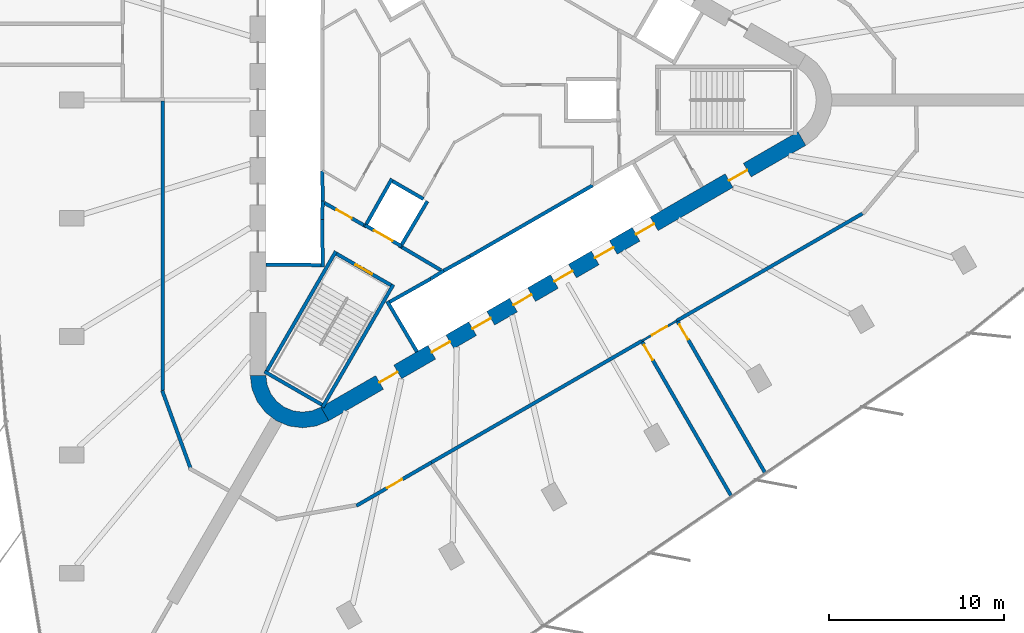
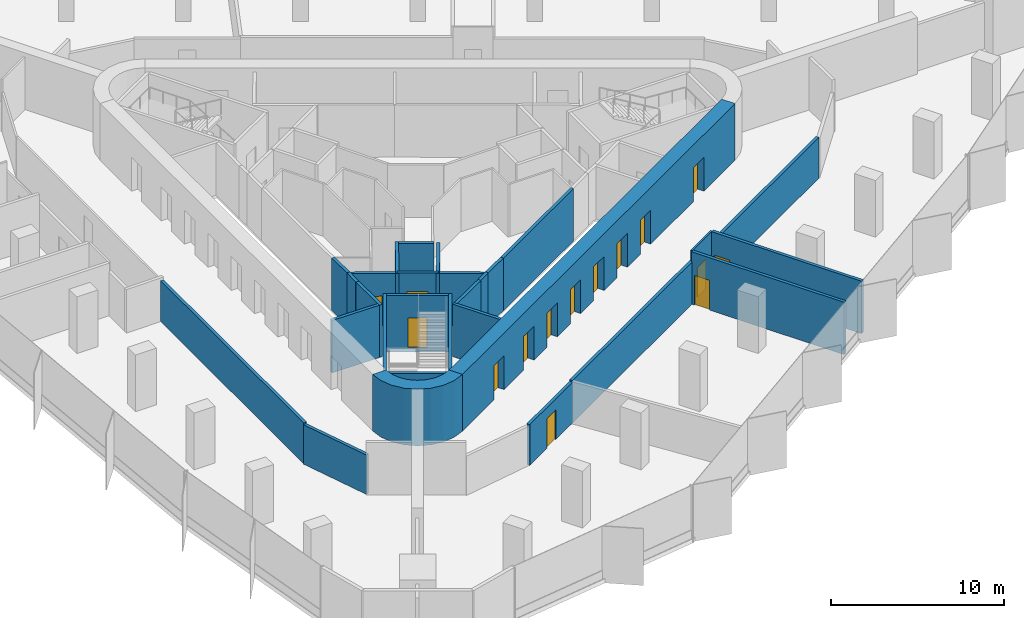
# One storey, part 8 of 13: 29 walls, 15 doors, 15 openings.
"""IFC4 building model written with IfcOpenShell, lengths in metres."""

from ifc_helpers import new_model, si_unit, direction, frame, frame_2d, origin, place, context, subcontext, project, spatial, polyline, rectangle, outline, extrude, material, layer, layer_set, type_object, element, fill, save


model = new_model("IFC4")

# Units and contexts
model_context = context("Model", 3, precision=1e-05, world=origin(), true_north=direction((0.0, 1.0)))
body_context = subcontext(model_context, "Body", "Model", "MODEL_VIEW")
ifc_project = project(units=[si_unit("LENGTHUNIT", "METRE"), si_unit("AREAUNIT", "SQUARE_METRE"), si_unit("VOLUMEUNIT", "CUBIC_METRE"), si_unit("PLANEANGLEUNIT", "RADIAN"), si_unit("MASSUNIT", "GRAM", prefix="KILO")], contexts=[model_context])

# Site, building, storey
site_placement = place(None, origin())
site = spatial("IfcSite", under=ifc_project, at=site_placement, CompositionType="ELEMENT")
building_placement = place(site_placement, origin())
building = spatial("IfcBuilding", under=site, at=building_placement, Name="Tanit Gate Tower", CompositionType="ELEMENT")
storey_placement = place(building_placement, frame((0.0, 0.0, 193.199951171875)))
storey = spatial("IfcBuildingStorey", under=building, at=storey_placement, Name="L42", CompositionType="ELEMENT", Elevation=193.199951171875)

# Wall, openings, doors
ifc_material_1 = material(Name="Concrete C50/60", Category="concrete")
ifc_layer_1 = layer(ifc_material_1, 0.89990234375)
ifc_layer_set_1 = layer_set([ifc_layer_1], Name="CORE WALL 900 C50/60")
wall_type_1 = type_object("IfcWallType", Name="CORE WALL 900 C50/60", PredefinedType="SHEAR", material=ifc_layer_set_1)
wall_1_placement = place(storey_placement, frame((-7.824951171875, -17.969970703125, 0.0), z_axis=(0.0, 0.0, 1.0), x_axis=(0.866028369851, 0.499994862586, 0.0)))
wall_1 = element("IfcWall", 1, at=wall_1_placement, inside=storey, type_object=wall_type_1, Name="CORE WALL", PredefinedType="SHEAR", context=body_context, shape_type="SweptSolid", body=[
    extrude(rectangle(XDim=31.523193359375, YDim=0.89990234375, at=frame_2d((15.76171875, 0.0))), origin(), (0.0, 0.0, 1.0), 4.0),
])
opening_1_placement = place(wall_1_placement, frame((7.061767578125, 0.0, 0.0)))
opening_1 = element("IfcOpeningElement", 2, at=opening_1_placement, cuts=wall_1, Name="Opening LDSX1-S11", PredefinedType="OPENING", context=body_context, shape_type="SweptSolid", body=[
    extrude(rectangle(XDim=1.199951171875, YDim=2.39990234375, at=frame_2d((0.60009765625, 1.199951171875))), frame((0.0, 0.4599609375, 0.0), z_axis=(0.0, -1.0, 0.0), x_axis=(1.0, 0.0, 0.0)), (0.0, 0.0, 1.0), 0.919921875),
])
opening_2_placement = place(wall_1_placement, frame((9.76171875, 0.0, 0.0)))
opening_2 = element("IfcOpeningElement", 3, at=opening_2_placement, cuts=wall_1, Name="Opening LDSX2-S11", PredefinedType="OPENING", context=body_context, shape_type="SweptSolid", body=[
    extrude(rectangle(XDim=1.199951171875, YDim=2.39990234375, at=frame_2d((0.60009765625, 1.199951171875))), frame((0.0, 0.4599609375, 0.0), z_axis=(0.0, -1.0, 0.0), x_axis=(1.0, 0.0, 0.0)), (0.0, 0.0, 1.0), 0.919921875),
])
opening_3_placement = place(wall_1_placement, frame((12.461669921875, 0.0, 0.0)))
opening_3 = element("IfcOpeningElement", 4, at=opening_3_placement, cuts=wall_1, Name="Opening LDSX3-S11", PredefinedType="OPENING", context=body_context, shape_type="SweptSolid", body=[
    extrude(rectangle(XDim=1.199951171875, YDim=2.39990234375, at=frame_2d((0.60009765625, 1.199951171875))), frame((0.0, 0.4599609375, 0.0), z_axis=(0.0, -1.0, 0.0), x_axis=(1.0, 0.0, 0.0)), (0.0, 0.0, 1.0), 0.919921875),
])
opening_4_placement = place(wall_1_placement, frame((15.16162109375, 0.0, 0.0)))
opening_4 = element("IfcOpeningElement", 5, at=opening_4_placement, cuts=wall_1, Name="Opening LDSX4-S11", PredefinedType="OPENING", context=body_context, shape_type="SweptSolid", body=[
    extrude(rectangle(XDim=1.199951171875, YDim=2.39990234375, at=frame_2d((0.60009765625, 1.199951171875))), frame((0.0, 0.4599609375, 0.0), z_axis=(0.0, -1.0, 0.0), x_axis=(1.0, 0.0, 0.0)), (0.0, 0.0, 1.0), 0.919921875),
])
opening_5_placement = place(wall_1_placement, frame((17.861572265625, 0.0, 0.0)))
opening_5 = element("IfcOpeningElement", 6, at=opening_5_placement, cuts=wall_1, Name="Opening LDSV1-S11", PredefinedType="OPENING", context=body_context, shape_type="SweptSolid", body=[
    extrude(rectangle(XDim=1.199951171875, YDim=2.39990234375, at=frame_2d((0.60009765625, 1.199951171875))), frame((0.0, 0.4599609375, 0.0), z_axis=(0.0, -1.0, 0.0), x_axis=(1.0, 0.0, 0.0)), (0.0, 0.0, 1.0), 0.919921875),
])
opening_6_placement = place(wall_1_placement, frame((20.561767578125, 0.0, 0.0)))
opening_6 = element("IfcOpeningElement", 7, at=opening_6_placement, cuts=wall_1, Name="Opening LDSV2-S11", PredefinedType="OPENING", context=body_context, shape_type="SweptSolid", body=[
    extrude(rectangle(XDim=1.199951171875, YDim=2.39990234375, at=frame_2d((0.60009765625, 1.199951171875))), frame((0.0, 0.4599609375, 0.0), z_axis=(0.0, -1.0, 0.0), x_axis=(1.0, 0.0, 0.0)), (0.0, 0.0, 1.0), 0.919921875),
])
opening_7_placement = place(wall_1_placement, frame((26.711669921875, 0.0, 0.0)))
opening_7 = element("IfcOpeningElement", 8, at=opening_7_placement, cuts=wall_1, Name="Opening F12-S11-S1", PredefinedType="OPENING", context=body_context, shape_type="SweptSolid", body=[
    extrude(rectangle(XDim=1.199951171875, YDim=2.39990234375, at=frame_2d((0.60009765625, 1.199951171875))), frame((0.0, 0.4599609375, 0.0), z_axis=(0.0, -1.0, 0.0), x_axis=(1.0, 0.0, 0.0)), (0.0, 0.0, 1.0), 0.919921875),
])
opening_8_placement = place(wall_1_placement, frame((3.611572265625, 0.0, 0.0)))
opening_8 = element("IfcOpeningElement", 9, at=opening_8_placement, cuts=wall_1, Name="Opening F12-S11-FL3", PredefinedType="OPENING", context=body_context, shape_type="SweptSolid", body=[
    extrude(rectangle(XDim=1.199951171875, YDim=2.39990234375, at=frame_2d((0.60009765625, 1.199951171875))), frame((0.0, 0.4599609375, 0.0), z_axis=(0.0, -1.0, 0.0), x_axis=(1.0, 0.0, 0.0)), (0.0, 0.0, 1.0), 0.919921875),
])
ifc_material_2 = material(Name="Fire-rated steel door leaf", Category="steel")
door_type_1 = type_object("IfcDoorType", Name="INT-DOOR-FIRE-LOBBY-1200", OperationType="NOTDEFINED", PredefinedType="USERDEFINED", material=ifc_material_2)
door_1_placement = place(opening_7_placement, origin())
door_1 = element("IfcDoor", 10, at=door_1_placement, inside=storey, type_object=door_type_1, Name="Door F12-S11-S1", ObjectType="FIRE DOOR", OperationType="SINGLE_SWING_RIGHT", OverallHeight=2.39990234375, OverallWidth=1.199951171875, PredefinedType="USERDEFINED", context=body_context, shape_type="SweptSolid", body=[
    extrude(rectangle(XDim=1.199951171875, YDim=2.39990234375, at=frame_2d((0.60009765625, 1.199951171875))), frame((0.0, 0.02490234375, 0.0), z_axis=(0.0, -1.0, 0.0), x_axis=(1.0, 0.0, 0.0)), (0.0, 0.0, 1.0), 0.050048828125),
])
fill(opening_7, door_1)
door_2_placement = place(opening_8_placement, origin())
door_2 = element("IfcDoor", 11, at=door_2_placement, inside=storey, type_object=door_type_1, Name="Door F12-S11-FL3", ObjectType="FIRE DOOR", OperationType="SINGLE_SWING_LEFT", OverallHeight=2.39990234375, OverallWidth=1.199951171875, PredefinedType="USERDEFINED", context=body_context, shape_type="SweptSolid", body=[
    extrude(rectangle(XDim=1.199951171875, YDim=2.39990234375, at=frame_2d((0.60009765625, 1.199951171875))), frame((0.0, 0.02490234375, 0.0), z_axis=(0.0, -1.0, 0.0), x_axis=(1.0, 0.0, 0.0)), (0.0, 0.0, 1.0), 0.050048828125),
])
fill(opening_8, door_2)
ifc_material_3 = material(Name="Stainless steel sliding door leaf", Category="steel")
door_type_2 = type_object("IfcDoorType", Name="INT-DOOR-LANDING-1200", OperationType="NOTDEFINED", PredefinedType="USERDEFINED", material=ifc_material_3)
door_3_placement = place(opening_1_placement, origin())
door_3 = element("IfcDoor", 12, at=door_3_placement, inside=storey, type_object=door_type_2, Name="Door LDSX1-S11", ObjectType="LANDING DOOR", OperationType="SLIDING_TO_LEFT", OverallHeight=2.39990234375, OverallWidth=1.199951171875, PredefinedType="USERDEFINED", context=body_context, shape_type="SweptSolid", body=[
    extrude(rectangle(XDim=1.199951171875, YDim=2.39990234375, at=frame_2d((0.60009765625, 1.199951171875))), frame((0.0, 0.02490234375, 0.0), z_axis=(0.0, -1.0, 0.0), x_axis=(1.0, 0.0, 0.0)), (0.0, 0.0, 1.0), 0.050048828125),
])
fill(opening_1, door_3)
door_4_placement = place(opening_2_placement, origin())
door_4 = element("IfcDoor", 13, at=door_4_placement, inside=storey, type_object=door_type_2, Name="Door LDSX2-S11", ObjectType="LANDING DOOR", OperationType="SLIDING_TO_LEFT", OverallHeight=2.39990234375, OverallWidth=1.199951171875, PredefinedType="USERDEFINED", context=body_context, shape_type="SweptSolid", body=[
    extrude(rectangle(XDim=1.199951171875, YDim=2.39990234375, at=frame_2d((0.60009765625, 1.199951171875))), frame((0.0, 0.02490234375, 0.0), z_axis=(0.0, -1.0, 0.0), x_axis=(1.0, 0.0, 0.0)), (0.0, 0.0, 1.0), 0.050048828125),
])
fill(opening_2, door_4)
door_5_placement = place(opening_3_placement, origin())
door_5 = element("IfcDoor", 14, at=door_5_placement, inside=storey, type_object=door_type_2, Name="Door LDSX3-S11", ObjectType="LANDING DOOR", OperationType="SLIDING_TO_LEFT", OverallHeight=2.39990234375, OverallWidth=1.199951171875, PredefinedType="USERDEFINED", context=body_context, shape_type="SweptSolid", body=[
    extrude(rectangle(XDim=1.199951171875, YDim=2.39990234375, at=frame_2d((0.60009765625, 1.199951171875))), frame((0.0, 0.02490234375, 0.0), z_axis=(0.0, -1.0, 0.0), x_axis=(1.0, 0.0, 0.0)), (0.0, 0.0, 1.0), 0.050048828125),
])
fill(opening_3, door_5)
door_6_placement = place(opening_4_placement, origin())
door_6 = element("IfcDoor", 15, at=door_6_placement, inside=storey, type_object=door_type_2, Name="Door LDSX4-S11", ObjectType="LANDING DOOR", OperationType="SLIDING_TO_LEFT", OverallHeight=2.39990234375, OverallWidth=1.199951171875, PredefinedType="USERDEFINED", context=body_context, shape_type="SweptSolid", body=[
    extrude(rectangle(XDim=1.199951171875, YDim=2.39990234375, at=frame_2d((0.60009765625, 1.199951171875))), frame((0.0, 0.02490234375, 0.0), z_axis=(0.0, -1.0, 0.0), x_axis=(1.0, 0.0, 0.0)), (0.0, 0.0, 1.0), 0.050048828125),
])
fill(opening_4, door_6)
door_7_placement = place(opening_5_placement, origin())
door_7 = element("IfcDoor", 16, at=door_7_placement, inside=storey, type_object=door_type_2, Name="Door LDSV1-S11", ObjectType="LANDING DOOR", OperationType="SLIDING_TO_LEFT", OverallHeight=2.39990234375, OverallWidth=1.199951171875, PredefinedType="USERDEFINED", context=body_context, shape_type="SweptSolid", body=[
    extrude(rectangle(XDim=1.199951171875, YDim=2.39990234375, at=frame_2d((0.60009765625, 1.199951171875))), frame((0.0, 0.02490234375, 0.0), z_axis=(0.0, -1.0, 0.0), x_axis=(1.0, 0.0, 0.0)), (0.0, 0.0, 1.0), 0.050048828125),
])
fill(opening_5, door_7)
door_8_placement = place(opening_6_placement, origin())
door_8 = element("IfcDoor", 17, at=door_8_placement, inside=storey, type_object=door_type_2, Name="Door LDSV2-S11", ObjectType="LANDING DOOR", OperationType="SLIDING_TO_LEFT", OverallHeight=2.39990234375, OverallWidth=1.199951171875, PredefinedType="USERDEFINED", context=body_context, shape_type="SweptSolid", body=[
    extrude(rectangle(XDim=1.199951171875, YDim=2.39990234375, at=frame_2d((0.60009765625, 1.199951171875))), frame((0.0, 0.02490234375, 0.0), z_axis=(0.0, -1.0, 0.0), x_axis=(1.0, 0.0, 0.0)), (0.0, 0.0, 1.0), 0.050048828125),
])
fill(opening_6, door_8)

# Walls
wall_2_placement = place(storey_placement, origin())
element("IfcWall", 18, at=wall_2_placement, inside=storey, type_object=wall_type_1, Name="CORE WALL CORNER", PredefinedType="SHEAR", context=body_context, shape_type="SweptSolid", body=[
    extrude(outline(polyline([(-12.10009765625, -15.76171875), (-11.997802734375, -16.5380859375), (-11.697998046875, -17.26171875), (-11.22119140625, -17.883056640625), (-10.60009765625, -18.359619140625), (-9.87646484375, -18.659423828125), (-9.10009765625, -18.76171875), (-8.323486328125, -18.659423828125), (-7.60009765625, -18.359619140625), (-8.050048828125, -17.580322265625), (-8.556396484375, -17.7900390625), (-9.10009765625, -17.86181640625), (-9.6435546875, -17.7900390625), (-10.14990234375, -17.580322265625), (-10.5849609375, -17.24658203125), (-10.918701171875, -16.811767578125), (-11.12841796875, -16.30517578125), (-11.199951171875, -15.76171875), (-12.10009765625, -15.76171875)])), origin(), (0.0, 0.0, 1.0), 4.0),
])
ifc_material_4 = material(Name="Fire-rated gypsum board partition")
ifc_layer_2 = layer(ifc_material_4, 0.199951171875)
ifc_layer_set_2 = layer_set([ifc_layer_2], Name="INT-WALL-COMPARTMENT")
wall_type_2 = type_object("IfcWallType", Name="INT-WALL-COMPARTMENT", PredefinedType="PARTITIONING", material=ifc_layer_set_2)
wall_3_placement = place(storey_placement, frame((-3.400634765625, -8.43017578125, 0.0), z_axis=(0.0, 0.0, 1.0), x_axis=(0.860615607571, -0.509255118781, 0.0)))
element("IfcWall", 19, at=wall_3_placement, inside=storey, type_object=wall_type_2, Name="Wall Compartment W061", PredefinedType="PARTITIONING", context=body_context, shape_type="SweptSolid", body=[
    extrude(rectangle(XDim=2.58056640625, YDim=0.199951171875, at=frame_2d((1.290283203125, 0.0))), origin(), (0.0, 0.0, 1.0), 3.699951171875),
])

# Wall, opening, door
wall_4_placement = place(storey_placement, frame((-7.849365234375, -5.893798828125, 0.0), z_axis=(0.0, 0.0, 1.0), x_axis=(0.871363259478, -0.490638431059, 0.0)))
wall_4 = element("IfcWall", 20, at=wall_4_placement, inside=storey, type_object=wall_type_2, Name="Wall Compartment W062", PredefinedType="PARTITIONING", context=body_context, shape_type="SweptSolid", body=[
    extrude(rectangle(XDim=2.5810546875, YDim=0.199951171875, at=frame_2d((1.29052734375, 0.0))), origin(), (0.0, 0.0, 1.0), 3.699951171875),
])
opening_9_placement = place(wall_4_placement, frame((0.79052734375, 0.0, 0.0)))
opening_9 = element("IfcOpeningElement", 21, at=opening_9_placement, cuts=wall_4, Name="Opening F10-S11-08", PredefinedType="OPENING", context=body_context, shape_type="SweptSolid", body=[
    extrude(rectangle(XDim=1.0, YDim=2.10009765625, at=frame_2d((0.5, 1.050048828125))), frame((0.0, 0.10986328125, 0.0), z_axis=(0.0, -1.0, 0.0), x_axis=(1.0, 0.0, 0.0)), (0.0, 0.0, 1.0), 0.219970703125),
])
ifc_material_5 = material(Name="Fire-rated steel door leaf", Category="steel")
door_type_3 = type_object("IfcDoorType", Name="INT-DOOR-FIRE-1000", OperationType="NOTDEFINED", PredefinedType="USERDEFINED", material=ifc_material_5)
door_9_placement = place(opening_9_placement, origin())
door_9 = element("IfcDoor", 22, at=door_9_placement, inside=storey, type_object=door_type_3, Name="Door F10-S11-08", ObjectType="FIRE DOOR", OperationType="SINGLE_SWING_LEFT", OverallHeight=2.10009765625, OverallWidth=1.0, PredefinedType="USERDEFINED", context=body_context, shape_type="SweptSolid", body=[
    extrude(rectangle(XDim=1.0, YDim=2.10009765625, at=frame_2d((0.5, 1.050048828125))), frame((0.0, 0.02490234375, 0.0), z_axis=(0.0, -1.0, 0.0), x_axis=(1.0, 0.0, 0.0)), (0.0, 0.0, 1.0), 0.050048828125),
])
fill(opening_9, door_9)

# Walls
wall_5_placement = place(storey_placement, frame((-17.13427734375, -16.628662109375, 0.0), z_axis=(0.0, 0.0, 1.0), x_axis=(0.342036655594, -0.939686610647, 0.0)))
element("IfcWall", 23, at=wall_5_placement, inside=storey, type_object=wall_type_2, Name="Wall Compartment W097", PredefinedType="PARTITIONING", context=body_context, shape_type="SweptSolid", body=[
    extrude(rectangle(XDim=4.740234375, YDim=0.199951171875, at=frame_2d((2.3701171875, 0.0))), origin(), (0.0, 0.0, 1.0), 2.780029296875),
])
wall_6_placement = place(storey_placement, frame((-17.10009765625, -0.070068359375, 0.0), z_axis=(0.0, 0.0, 1.0), x_axis=(0.0, -1.0, 0.0)))
element("IfcWall", 24, at=wall_6_placement, inside=storey, type_object=wall_type_2, Name="Wall Compartment W098", PredefinedType="PARTITIONING", context=body_context, shape_type="SweptSolid", body=[
    extrude(rectangle(XDim=16.552490234375, YDim=0.199951171875, at=frame_2d((8.2763671875, 0.0))), origin(), (0.0, 0.0, 1.0), 2.880126953125),
])

# Wall, opening, door
wall_7_placement = place(storey_placement, frame((-6.018798828125, -23.220458984375, 0.0), z_axis=(0.0, 0.0, 1.0), x_axis=(0.866018215049, 0.500012451049, 0.0)))
wall_7 = element("IfcWall", 25, at=wall_7_placement, inside=storey, type_object=wall_type_2, Name="Wall Compartment W112", PredefinedType="PARTITIONING", context=body_context, shape_type="SweptSolid", body=[
    extrude(rectangle(XDim=4.955322265625, YDim=0.199951171875, at=frame_2d((2.4775390625, 0.0))), origin(), (0.0, 0.0, 1.0), 2.880126953125),
])
opening_10_placement = place(wall_7_placement, frame((2.01953125, 0.0, 0.0)))
opening_10 = element("IfcOpeningElement", 26, at=opening_10_placement, cuts=wall_7, Name="Opening F10-S11-32", PredefinedType="OPENING", context=body_context, shape_type="SweptSolid", body=[
    extrude(rectangle(XDim=1.0, YDim=2.10009765625, at=frame_2d((0.5, 1.050048828125))), frame((0.0, 0.10986328125, 0.0), z_axis=(0.0, -1.0, 0.0), x_axis=(1.0, 0.0, 0.0)), (0.0, 0.0, 1.0), 0.219970703125),
])
door_10_placement = place(opening_10_placement, origin())
door_10 = element("IfcDoor", 27, at=door_10_placement, inside=storey, type_object=door_type_3, Name="Door F10-S11-32", ObjectType="FIRE DOOR", OperationType="SINGLE_SWING_RIGHT", OverallHeight=2.10009765625, OverallWidth=1.0, PredefinedType="USERDEFINED", context=body_context, shape_type="SweptSolid", body=[
    extrude(rectangle(XDim=1.0, YDim=2.10009765625, at=frame_2d((0.5, 1.050048828125))), frame((0.0, 0.02490234375, 0.0), z_axis=(0.0, -1.0, 0.0), x_axis=(1.0, 0.0, 0.0)), (0.0, 0.0, 1.0), 0.050048828125),
])
fill(opening_10, door_10)

# Walls
wall_8_placement = place(storey_placement, frame((-1.727294921875, -20.74267578125, 0.0), z_axis=(0.0, 0.0, 1.0), x_axis=(0.866022578741, 0.500004893086, 0.0)))
element("IfcWall", 28, at=wall_8_placement, inside=storey, type_object=wall_type_2, Name="Wall Compartment W111", PredefinedType="PARTITIONING", context=body_context, shape_type="SweptSolid", body=[
    extrude(rectangle(XDim=13.917236328125, YDim=0.199951171875, at=frame_2d((6.95849609375, 0.0))), origin(), (0.0, 0.0, 1.0), 2.97998046875),
])
wall_9_placement = place(storey_placement, frame((12.317138671875, -12.634033203125, 0.0), z_axis=(0.0, 0.0, 1.0), x_axis=(0.866028561818, 0.499994530085, 0.0)))
element("IfcWall", 29, at=wall_9_placement, inside=storey, type_object=wall_type_2, Name="Wall Compartment W110", PredefinedType="PARTITIONING", context=body_context, shape_type="SweptSolid", body=[
    extrude(rectangle(XDim=12.272705078125, YDim=0.199951171875, at=frame_2d((6.13623046875, 0.0))), origin(), (0.0, 0.0, 1.0), 2.880126953125),
])

# Wall, opening, door
wall_10_placement = place(storey_placement, frame((17.37548828125, -21.35498046875, 0.0), z_axis=(0.0, 0.0, 1.0), x_axis=(-0.500014165022, 0.866017225451, 0.0)))
wall_10 = element("IfcWall", 30, at=wall_10_placement, inside=storey, type_object=wall_type_2, Name="Wall Compartment W133", PredefinedType="PARTITIONING", context=body_context, shape_type="SweptSolid", body=[
    extrude(rectangle(XDim=10.021728515625, YDim=0.199951171875, at=frame_2d((5.0107421875, 0.0))), origin(), (0.0, 0.0, 1.0), 3.699951171875),
])
opening_11_placement = place(wall_10_placement, frame((8.82177734375, 0.0, 0.0)))
opening_11 = element("IfcOpeningElement", 31, at=opening_11_placement, cuts=wall_10, Name="Opening F10-S11-30", PredefinedType="OPENING", context=body_context, shape_type="SweptSolid", body=[
    extrude(rectangle(XDim=1.0, YDim=2.10009765625, at=frame_2d((0.5, 1.050048828125))), frame((0.0, 0.10986328125, 0.0), z_axis=(0.0, -1.0, 0.0), x_axis=(1.0, 0.0, 0.0)), (0.0, 0.0, 1.0), 0.219970703125),
])
door_11_placement = place(opening_11_placement, origin())
door_11 = element("IfcDoor", 32, at=door_11_placement, inside=storey, type_object=door_type_3, Name="Door F10-S11-30", ObjectType="FIRE DOOR", OperationType="SINGLE_SWING_LEFT", OverallHeight=2.10009765625, OverallWidth=1.0, PredefinedType="USERDEFINED", context=body_context, shape_type="SweptSolid", body=[
    extrude(rectangle(XDim=1.0, YDim=2.10009765625, at=frame_2d((0.5, 1.050048828125))), frame((0.0, 0.02490234375, 0.0), z_axis=(0.0, -1.0, 0.0), x_axis=(1.0, 0.0, 0.0)), (0.0, 0.0, 1.0), 0.050048828125),
])
fill(opening_11, door_11)

wall_11_placement = place(storey_placement, frame((10.338134765625, -13.845947265625, 0.0), z_axis=(0.0, 0.0, 1.0), x_axis=(0.499983401189, -0.8660349869, 0.0)))
wall_11 = element("IfcWall", 33, at=wall_11_placement, inside=storey, type_object=wall_type_2, Name="Wall Compartment W134", PredefinedType="PARTITIONING", context=body_context, shape_type="SweptSolid", body=[
    extrude(rectangle(XDim=10.204345703125, YDim=0.199951171875, at=frame_2d((5.10205078125, 0.0))), origin(), (0.0, 0.0, 1.0), 3.699951171875),
])
opening_12_placement = place(wall_11_placement, frame((0.199951171875, 0.0, 0.0)))
opening_12 = element("IfcOpeningElement", 34, at=opening_12_placement, cuts=wall_11, Name="Opening F10-S11-31", PredefinedType="OPENING", context=body_context, shape_type="SweptSolid", body=[
    extrude(rectangle(XDim=1.0, YDim=2.10009765625, at=frame_2d((0.5, 1.050048828125))), frame((0.0, 0.10986328125, 0.0), z_axis=(0.0, -1.0, 0.0), x_axis=(1.0, 0.0, 0.0)), (0.0, 0.0, 1.0), 0.219970703125),
])
door_12_placement = place(opening_12_placement, origin())
door_12 = element("IfcDoor", 35, at=door_12_placement, inside=storey, type_object=door_type_3, Name="Door F10-S11-31", ObjectType="FIRE DOOR", OperationType="SINGLE_SWING_RIGHT", OverallHeight=2.10009765625, OverallWidth=1.0, PredefinedType="USERDEFINED", context=body_context, shape_type="SweptSolid", body=[
    extrude(rectangle(XDim=1.0, YDim=2.10009765625, at=frame_2d((0.5, 1.050048828125))), frame((0.0, 0.02490234375, 0.0), z_axis=(0.0, -1.0, 0.0), x_axis=(1.0, 0.0, 0.0)), (0.0, 0.0, 1.0), 0.050048828125),
])
fill(opening_12, door_12)

ifc_material_6 = material(Name="Gypsum board partition")
ifc_layer_3 = layer(ifc_material_6, 0.1201171875)
ifc_layer_set_3 = layer_set([ifc_layer_3], Name="INT-WALL-PARTITION")
wall_type_3 = type_object("IfcWallType", Name="INT-WALL-PARTITION", PredefinedType="PARTITIONING", material=ifc_layer_set_3)
wall_12_placement = place(storey_placement, frame((12.317138671875, -12.634033203125, 0.0), z_axis=(0.0, 0.0, 1.0), x_axis=(-0.86602648383, -0.499998129301, 0.0)))
wall_12 = element("IfcWall", 36, at=wall_12_placement, inside=storey, type_object=wall_type_3, Name="Wall Partition W107", PredefinedType="PARTITIONING", context=body_context, shape_type="SweptSolid", body=[
    extrude(rectangle(XDim=2.2998046875, YDim=0.1201171875, at=frame_2d((1.14990234375, 0.0))), origin(), (0.0, 0.0, 1.0), 3.699951171875),
])
opening_13_placement = place(wall_12_placement, frame((0.64990234375, 0.0, 0.0)))
opening_13 = element("IfcOpeningElement", 37, at=opening_13_placement, cuts=wall_12, Name="Opening D10-S11-20", PredefinedType="OPENING", context=body_context, shape_type="SweptSolid", body=[
    extrude(rectangle(XDim=1.0, YDim=2.10009765625, at=frame_2d((0.5, 1.050048828125))), frame((0.0, 0.070068359375, 0.0), z_axis=(0.0, -1.0, 0.0), x_axis=(1.0, 0.0, 0.0)), (0.0, 0.0, 1.0), 0.14013671875),
])
ifc_material_7 = material(Name="Timber door leaf", Category="wood")
door_type_4 = type_object("IfcDoorType", Name="INT-DOOR-SINGLE-1000", OperationType="NOTDEFINED", PredefinedType="NOTDEFINED", material=ifc_material_7)
door_13_placement = place(opening_13_placement, origin())
door_13 = element("IfcDoor", 38, at=door_13_placement, inside=storey, type_object=door_type_4, Name="Door D10-S11-20", OperationType="SINGLE_SWING_RIGHT", OverallHeight=2.10009765625, OverallWidth=1.0, PredefinedType="NOTDEFINED", context=body_context, shape_type="SweptSolid", body=[
    extrude(rectangle(XDim=1.0, YDim=2.10009765625, at=frame_2d((0.5, 1.050048828125))), frame((0.0, 0.02490234375, 0.0), z_axis=(0.0, -1.0, 0.0), x_axis=(1.0, 0.0, 0.0)), (0.0, 0.0, 1.0), 0.050048828125),
])
fill(opening_13, door_13)

# Walls
ifc_material_8 = material(Name="Gypsum shaft wall system")
ifc_layer_4 = layer(ifc_material_8, 0.199951171875)
ifc_layer_set_4 = layer_set([ifc_layer_4], Name="INT-WALL-SHAFT")
wall_type_4 = type_object("IfcWallType", Name="INT-WALL-SHAFT", PredefinedType="PLUMBINGWALL", material=ifc_layer_set_4)
wall_13_placement = place(storey_placement, frame((-7.949951171875, -5.7724609375, 0.0), z_axis=(0.0, 0.0, 1.0), x_axis=(-0.030803413295, -0.999525462272, 0.0)))
element("IfcWall", 39, at=wall_13_placement, inside=storey, type_object=wall_type_4, Name="Wall Shaft W008", PredefinedType="PLUMBINGWALL", context=body_context, shape_type="SweptSolid", body=[
    extrude(rectangle(XDim=1.077880859375, YDim=0.199951171875, at=frame_2d((0.5390625, 0.0))), origin(), (0.0, 0.0, 1.0), 3.699951171875),
])
wall_14_placement = place(storey_placement, frame((-7.971435546875, -4.050048828125, 0.0), z_axis=(0.0, 0.0, 1.0), x_axis=(0.012042535896, -0.999927486035, 0.0)))
element("IfcWall", 40, at=wall_14_placement, inside=storey, type_object=wall_type_4, Name="Wall Shaft W009", PredefinedType="PLUMBINGWALL", context=body_context, shape_type="SweptSolid", body=[
    extrude(rectangle(XDim=1.844970703125, YDim=0.199951171875, at=frame_2d((0.92236328125, 0.0))), origin(), (0.0, 0.0, 1.0), 3.699951171875),
])
wall_15_placement = place(storey_placement, frame((-7.97900390625, -6.85009765625, 0.0), z_axis=(0.0, 0.0, 1.0), x_axis=(0.011121475088, -0.999938154483, 0.0)))
element("IfcWall", 41, at=wall_15_placement, inside=storey, type_object=wall_type_4, Name="Wall Shaft W010", PredefinedType="PLUMBINGWALL", context=body_context, shape_type="SweptSolid", body=[
    extrude(rectangle(XDim=2.7001953125, YDim=0.199951171875, at=frame_2d((1.35009765625, 0.0))), origin(), (0.0, 0.0, 1.0), 3.699951171875),
])
wall_16_placement = place(storey_placement, frame((-8.050048828125, -9.448974609375, 0.0), z_axis=(0.0, 0.0, 1.0), x_axis=(-0.999957467379, 0.009222983926, 0.0)))
element("IfcWall", 42, at=wall_16_placement, inside=storey, type_object=wall_type_4, Name="Wall Shaft W011", PredefinedType="PLUMBINGWALL", context=body_context, shape_type="SweptSolid", body=[
    extrude(rectangle(XDim=3.150146484375, YDim=0.199951171875, at=frame_2d((1.5751953125, 0.0))), origin(), (0.0, 0.0, 1.0), 3.699951171875),
])
wall_17_placement = place(storey_placement, frame((0.482666015625, -8.935791015625, 0.0), z_axis=(0.0, 0.0, 1.0), x_axis=(0.866030989016, 0.499990325971, 0.0)))
element("IfcWall", 43, at=wall_17_placement, inside=storey, type_object=wall_type_4, Name="Wall Shaft W023", PredefinedType="PLUMBINGWALL", context=body_context, shape_type="SweptSolid", body=[
    extrude(rectangle(XDim=8.099853515625, YDim=0.199951171875, at=frame_2d((4.0498046875, 0.0))), origin(), (0.0, 0.0, 1.0), 3.699951171875),
])
wall_18_placement = place(storey_placement, frame((-2.557861328125, -14.409423828125, 0.0), z_axis=(0.0, 0.0, 1.0), x_axis=(-0.507997497166, 0.861358544901, 0.0)))
element("IfcWall", 44, at=wall_18_placement, inside=storey, type_object=wall_type_4, Name="Wall Shaft W019", PredefinedType="PLUMBINGWALL", context=body_context, shape_type="SweptSolid", body=[
    extrude(rectangle(XDim=3.350341796875, YDim=0.199951171875, at=frame_2d((1.67529296875, 0.0))), origin(), (0.0, 0.0, 1.0), 3.699951171875),
])
wall_19_placement = place(storey_placement, frame((-1.7685546875, -10.23681640625, 0.0), z_axis=(0.0, 0.0, 1.0), x_axis=(-0.871534483978, -0.490334215854, 0.0)))
element("IfcWall", 45, at=wall_19_placement, inside=storey, type_object=wall_type_4, Name="Wall Shaft W020", PredefinedType="PLUMBINGWALL", context=body_context, shape_type="SweptSolid", body=[
    extrude(rectangle(XDim=2.7001953125, YDim=0.199951171875, at=frame_2d((1.35009765625, 0.0))), origin(), (0.0, 0.0, 1.0), 3.699951171875),
])
wall_20_placement = place(storey_placement, frame((-1.02392578125, -9.77099609375, 0.0), z_axis=(0.0, 0.0, 1.0), x_axis=(-0.850348075135, -0.526220629693, 0.0)))
element("IfcWall", 46, at=wall_20_placement, inside=storey, type_object=wall_type_4, Name="Wall Shaft W021", PredefinedType="PLUMBINGWALL", context=body_context, shape_type="SweptSolid", body=[
    extrude(rectangle(XDim=0.878173828125, YDim=0.199951171875, at=frame_2d((0.43896484375, 0.0))), origin(), (0.0, 0.0, 1.0), 3.699951171875),
])
wall_21_placement = place(storey_placement, frame((-1.130126953125, -9.831298828125, 0.0), z_axis=(0.0, 0.0, 1.0), x_axis=(0.874269620932, 0.485440655401, 0.0)))
element("IfcWall", 47, at=wall_21_placement, inside=storey, type_object=wall_type_4, Name="Wall Shaft W022", PredefinedType="PLUMBINGWALL", context=body_context, shape_type="SweptSolid", body=[
    extrude(rectangle(XDim=1.8447265625, YDim=0.199951171875, at=frame_2d((0.92236328125, 0.0))), origin(), (0.0, 0.0, 1.0), 3.699951171875),
])

# Wall, opening, door
wall_22_placement = place(storey_placement, frame((-3.44580078125, -8.3681640625, 0.0), z_axis=(0.0, 0.0, 1.0), x_axis=(-0.866024647952, 0.500001309137, 0.0)))
wall_22 = element("IfcWall", 48, at=wall_22_placement, inside=storey, type_object=wall_type_4, Name="Wall Shaft W045", PredefinedType="PLUMBINGWALL", context=body_context, shape_type="SweptSolid", body=[
    extrude(rectangle(XDim=2.39990234375, YDim=0.199951171875, at=frame_2d((1.199951171875, 0.0))), origin(), (0.0, 0.0, 1.0), 3.699951171875),
])
opening_14_placement = place(wall_22_placement, frame((0.60009765625, 0.0, 0.0)))
opening_14 = element("IfcOpeningElement", 49, at=opening_14_placement, cuts=wall_22, Name="Opening LDFL3-L42", PredefinedType="OPENING", context=body_context, shape_type="SweptSolid", body=[
    extrude(rectangle(XDim=1.199951171875, YDim=2.39990234375, at=frame_2d((0.60009765625, 1.199951171875))), frame((0.0, 0.10986328125, 0.0), z_axis=(0.0, -1.0, 0.0), x_axis=(1.0, 0.0, 0.0)), (0.0, 0.0, 1.0), 0.219970703125),
])
door_14_placement = place(opening_14_placement, origin())
door_14 = element("IfcDoor", 50, at=door_14_placement, inside=storey, type_object=door_type_2, Name="Door LDFL3-L42", ObjectType="LANDING DOOR", OperationType="SLIDING_TO_LEFT", OverallHeight=2.39990234375, OverallWidth=1.199951171875, PredefinedType="USERDEFINED", context=body_context, shape_type="SweptSolid", body=[
    extrude(rectangle(XDim=1.199951171875, YDim=2.39990234375, at=frame_2d((0.60009765625, 1.199951171875))), frame((0.0, 0.02490234375, 0.0), z_axis=(0.0, -1.0, 0.0), x_axis=(1.0, 0.0, 0.0)), (0.0, 0.0, 1.0), 0.050048828125),
])
fill(opening_14, door_14)

# Walls
wall_23_placement = place(storey_placement, frame((-1.960693359375, -5.796142578125, 0.0), z_axis=(0.0, 0.0, 1.0), x_axis=(-0.508647062354, -0.860975125052, 0.0)))
element("IfcWall", 51, at=wall_23_placement, inside=storey, type_object=wall_type_4, Name="Wall Shaft W046", PredefinedType="PLUMBINGWALL", context=body_context, shape_type="SweptSolid", body=[
    extrude(rectangle(XDim=3.10009765625, YDim=0.199951171875, at=frame_2d((1.550048828125, 0.0))), origin(), (0.0, 0.0, 1.0), 3.699951171875),
])
wall_24_placement = place(storey_placement, frame((-3.989990234375, -4.509033203125, 0.0), z_axis=(0.0, 0.0, 1.0), x_axis=(-0.491358283181, -0.870957540612, 0.0)))
element("IfcWall", 52, at=wall_24_placement, inside=storey, type_object=wall_type_4, Name="Wall Shaft W047", PredefinedType="PLUMBINGWALL", context=body_context, shape_type="SweptSolid", body=[
    extrude(rectangle(XDim=3.200439453125, YDim=0.199951171875, at=frame_2d((1.60009765625, 0.0))), origin(), (0.0, 0.0, 1.0), 3.699951171875),
])
wall_25_placement = place(storey_placement, frame((-3.95263671875, -4.646240234375, 0.0), z_axis=(0.0, 0.0, 1.0), x_axis=(0.866032100247, -0.499988401207, 0.0)))
element("IfcWall", 53, at=wall_25_placement, inside=storey, type_object=wall_type_4, Name="Wall Shaft W048", PredefinedType="PLUMBINGWALL", context=body_context, shape_type="SweptSolid", body=[
    extrude(rectangle(XDim=2.03955078125, YDim=0.199951171875, at=frame_2d((1.019775390625, 0.0))), origin(), (0.0, 0.0, 1.0), 3.699951171875),
])
ifc_material_9 = material(Name="Concrete C40/50", Category="concrete")
ifc_layer_5 = layer(ifc_material_9, 0.199951171875)
ifc_layer_set_5 = layer_set([ifc_layer_5], Name="INT-WALL-STAIR")
wall_type_5 = type_object("IfcWallType", Name="INT-WALL-STAIR", PredefinedType="SHEAR", material=ifc_layer_set_5)
wall_26_placement = place(storey_placement, frame((-3.904541015625, -10.56298828125, -0.300048828125), z_axis=(0.0, 0.0, 1.0), x_axis=(-0.500012932018, -0.866017937352, 0.0)))
element("IfcWall", 54, at=wall_26_placement, inside=storey, type_object=wall_type_5, Name="Wall Stair W041", PredefinedType="SHEAR", context=body_context, shape_type="SweptSolid", body=[
    extrude(rectangle(XDim=8.099853515625, YDim=0.199951171875, at=frame_2d((4.0498046875, 0.0))), origin(), (0.0, 0.0, 1.0), 4.0),
])
wall_27_placement = place(storey_placement, frame((-11.281982421875, -15.541015625, -0.300048828125), z_axis=(0.0, 0.0, 1.0), x_axis=(0.866000483506, -0.500043160704, 0.0)))
element("IfcWall", 55, at=wall_27_placement, inside=storey, type_object=wall_type_5, Name="Wall Stair W042", PredefinedType="SHEAR", context=body_context, shape_type="SweptSolid", body=[
    extrude(rectangle(XDim=3.800048828125, YDim=0.199951171875, at=frame_2d((1.89990234375, 0.0))), origin(), (0.0, 0.0, 1.0), 4.0),
])
wall_28_placement = place(storey_placement, frame((-7.195556640625, -8.662841796875, -0.300048828125), z_axis=(0.0, 0.0, 1.0), x_axis=(-0.499997992926, -0.866026562566, 0.0)))
element("IfcWall", 56, at=wall_28_placement, inside=storey, type_object=wall_type_5, Name="Wall Stair W043", PredefinedType="SHEAR", context=body_context, shape_type="SweptSolid", body=[
    extrude(rectangle(XDim=7.89990234375, YDim=0.199951171875, at=frame_2d((3.949951171875, 0.0))), origin(), (0.0, 0.0, 1.0), 4.0),
])

# Wall, opening, door
wall_29_placement = place(storey_placement, frame((-4.041259765625, -10.599365234375, -0.300048828125), z_axis=(0.0, 0.0, 1.0), x_axis=(-0.866047807691, 0.499961193289, 0.0)))
wall_29 = element("IfcWall", 57, at=wall_29_placement, inside=storey, type_object=wall_type_5, Name="Wall Stair W044", PredefinedType="SHEAR", context=body_context, shape_type="SweptSolid", body=[
    extrude(rectangle(XDim=3.599853515625, YDim=0.199951171875, at=frame_2d((1.7998046875, 0.0))), origin(), (0.0, 0.0, 1.0), 4.0),
])
opening_15_placement = place(wall_29_placement, frame((1.25, 0.0, 0.300048828125)))
opening_15 = element("IfcOpeningElement", 58, at=opening_15_placement, cuts=wall_29, Name="Opening S11-S11-07", PredefinedType="OPENING", context=body_context, shape_type="SweptSolid", body=[
    extrude(rectangle(XDim=1.10009765625, YDim=2.10009765625, at=frame_2d((0.550048828125, 1.050048828125))), frame((0.0, 0.10986328125, 0.0), z_axis=(0.0, -1.0, 0.0), x_axis=(1.0, 0.0, 0.0)), (0.0, 0.0, 1.0), 0.219970703125),
])
ifc_material_10 = material(Name="Timber door leaf", Category="wood")
door_type_5 = type_object("IfcDoorType", Name="INT-DOOR-STAIR-1100", OperationType="NOTDEFINED", PredefinedType="USERDEFINED", material=ifc_material_10)
door_15_placement = place(opening_15_placement, origin())
door_15 = element("IfcDoor", 59, at=door_15_placement, inside=storey, type_object=door_type_5, Name="Door S11-S11-07", ObjectType="FIRE DOOR", OperationType="SINGLE_SWING_RIGHT", OverallHeight=2.10009765625, OverallWidth=1.10009765625, PredefinedType="USERDEFINED", context=body_context, shape_type="SweptSolid", body=[
    extrude(rectangle(XDim=1.10009765625, YDim=2.10009765625, at=frame_2d((0.550048828125, 1.050048828125))), frame((0.0, 0.02490234375, 0.0), z_axis=(0.0, -1.0, 0.0), x_axis=(1.0, 0.0, 0.0)), (0.0, 0.0, 1.0), 0.050048828125),
])
fill(opening_15, door_15)

save(model, "model.ifc")
